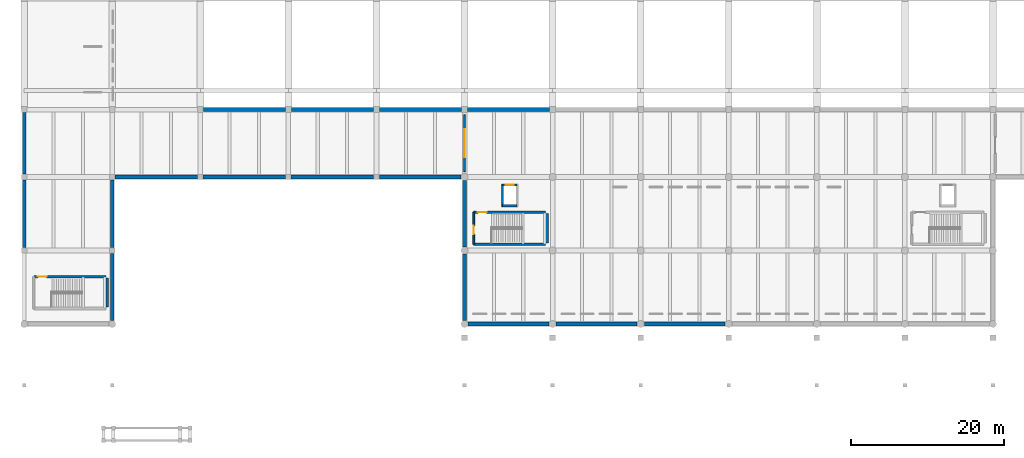
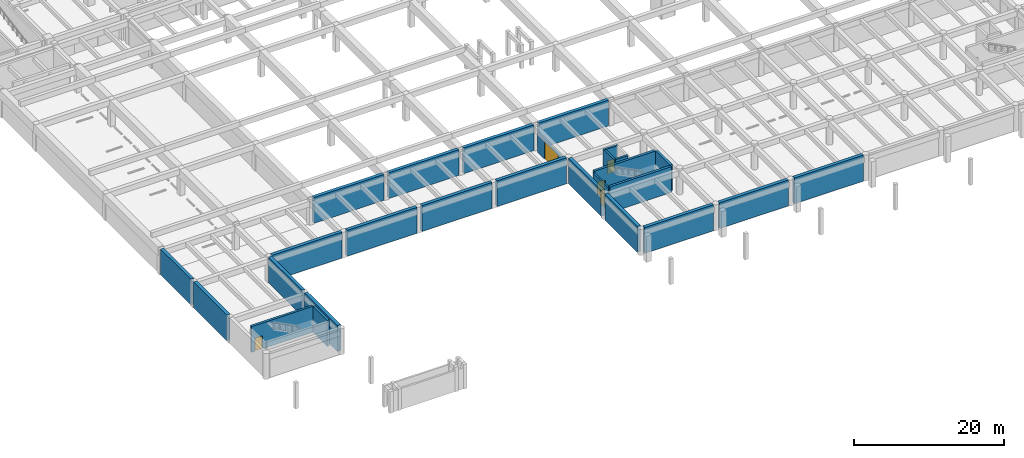
# One storey, part 9 of 20: 27 walls, 5 doors, 5 openings.
"""IFC4 building model written with IfcOpenShell, lengths in metres."""

from ifc_helpers import new_model, si_unit, direction, frame, frame_2d, origin, place, context, subcontext, project, spatial, rectangle, extrude, material, layer, layer_set, type_object, element, fill, save


model = new_model("IFC4")

# Units and contexts
model_context = context("Model", 3, precision=1e-05, world=origin(), true_north=direction((0.0, 1.0)))
body_context = subcontext(model_context, "Body", "Model", "MODEL_VIEW")
ifc_project = project(units=[si_unit("LENGTHUNIT", "METRE"), si_unit("AREAUNIT", "SQUARE_METRE"), si_unit("VOLUMEUNIT", "CUBIC_METRE"), si_unit("PLANEANGLEUNIT", "RADIAN"), si_unit("MASSUNIT", "GRAM", prefix="KILO")], contexts=[model_context])

# Site, building, storey
site_placement = place(None, origin())
site = spatial("IfcSite", under=ifc_project, at=site_placement, CompositionType="ELEMENT")
building_placement = place(site_placement, origin())
building = spatial("IfcBuilding", under=site, at=building_placement, Name="Ologun Quay Terminus", CompositionType="ELEMENT")
storey_placement = place(building_placement, frame((0.0, 0.0, -4.199951171875)))
storey = spatial("IfcBuildingStorey", under=building, at=storey_placement, Name="B01", CompositionType="ELEMENT", Elevation=-4.199951171875)

# Walls
ifc_material_1 = material(Name="Concrete C35/45", Category="concrete")
ifc_layer_1 = layer(ifc_material_1, 0.5)
ifc_layer_set_1 = layer_set([ifc_layer_1], Name="Concrete C35/45")
wall_type_1 = type_object("IfcWallType", Name="Basement Perimeter Retaining Wall 500", PredefinedType="SHEAR", material=ifc_layer_set_1)
wall_1_placement = place(storey_placement, frame((11.5, 8.469970703125, 0.0), z_axis=(0.0, 0.0, 1.0), x_axis=(0.0, 1.0, 0.0)))
element("IfcWall", 1, at=wall_1_placement, inside=storey, type_object=wall_type_1, Name="Retaining Wall S2-Y1 B01", PredefinedType="SHEAR", context=body_context, shape_type="SweptSolid", body=[
    extrude(rectangle(XDim=8.760009765625, YDim=0.5, at=frame_2d((4.3798828125, 0.0))), origin(), (0.0, 0.0, 1.0), 4.199951171875),
])
wall_2_placement = place(storey_placement, frame((11.5, 17.969970703125, 0.0), z_axis=(0.0, 0.0, 1.0), x_axis=(0.0, 1.0, 0.0)))
element("IfcWall", 2, at=wall_2_placement, inside=storey, type_object=wall_type_1, Name="Retaining Wall S2-Y2 B01", PredefinedType="SHEAR", context=body_context, shape_type="SweptSolid", body=[
    extrude(rectangle(XDim=8.860107421875, YDim=0.5, at=frame_2d((4.43017578125, 0.0))), origin(), (0.0, 0.0, 1.0), 4.199951171875),
])
for number, where, z_axis, x_axis, name in (
    (3, (11.8701171875, 27.199951171875, 0.0), (0.0, 0.0, 1.0), (1.0, 0.0, 0.0), "Retaining Wall S3-2 B01"),
    (4, (23.3701171875, 27.199951171875, 0.0), (0.0, 0.0, 1.0), (1.0, 0.0, 0.0), "Retaining Wall S3-3 B01"),
    (5, (34.8701171875, 27.199951171875, 0.0), (0.0, 0.0, 1.0), (1.0, 0.0, 0.0), "Retaining Wall S3-4 B01"),
):
    element("IfcWall", number, at=place(storey_placement, frame(where, z_axis=z_axis, x_axis=x_axis)), inside=storey, type_object=wall_type_1, Name=name, PredefinedType="SHEAR", context=body_context, shape_type="SweptSolid", body=[
        extrude(rectangle(XDim=10.759765625, YDim=0.5, at=frame_2d((5.3798828125, 0.0))), origin(), (0.0, 0.0, 1.0), 4.199951171875),
    ])
wall_3_placement = place(storey_placement, frame((46.3701171875, 27.199951171875, 0.0), z_axis=(0.0, 0.0, 1.0), x_axis=(1.0, 0.0, 0.0)))
element("IfcWall", 6, at=wall_3_placement, inside=storey, type_object=wall_type_1, Name="Retaining Wall S3-5 B01", PredefinedType="SHEAR", context=body_context, shape_type="SweptSolid", body=[
    extrude(rectangle(XDim=10.659912109375, YDim=0.5, at=frame_2d((5.330078125, 0.0))), origin(), (0.0, 0.0, 1.0), 4.199951171875),
])
for number, where, z_axis, x_axis, name in (
    (7, (57.5, 8.469970703125, 0.0), (0.0, 0.0, 1.0), (0.0, 1.0, 0.0), "Retaining Wall S4-Y1 B01"),
    (8, (57.5, 18.070068359375, 0.0), (0.0, 0.0, 1.0), (0.0, 1.0, 0.0), "Retaining Wall S4-Y2 B01"),
):
    element("IfcWall", number, at=place(storey_placement, frame(where, z_axis=z_axis, x_axis=x_axis)), inside=storey, type_object=wall_type_1, Name=name, PredefinedType="SHEAR", context=body_context, shape_type="SweptSolid", body=[
        extrude(rectangle(XDim=8.659912109375, YDim=0.5, at=frame_2d((4.330078125, 0.0))), origin(), (0.0, 0.0, 1.0), 4.199951171875),
    ])
for number, where, z_axis, x_axis, name in (
    (9, (57.969970703125, 8.0, 0.0), (0.0, 0.0, 1.0), (1.0, 0.0, 0.0), "Retaining Wall S5-6 B01"),
    (10, (69.469970703125, 8.0, 0.0), (0.0, 0.0, 1.0), (1.0, 0.0, 0.0), "Retaining Wall S5-7 B01"),
    (11, (80.969970703125, 8.0, 0.0), (0.0, 0.0, 1.0), (1.0, 0.0, 0.0), "Retaining Wall S5-8 B01"),
):
    element("IfcWall", number, at=place(storey_placement, frame(where, z_axis=z_axis, x_axis=x_axis)), inside=storey, type_object=wall_type_1, Name=name, PredefinedType="SHEAR", context=body_context, shape_type="SweptSolid", body=[
        extrude(rectangle(XDim=10.56005859375, YDim=0.5, at=frame_2d((5.280029296875, 0.0))), origin(), (0.0, 0.0, 1.0), 4.199951171875),
    ])
wall_4_placement = place(storey_placement, frame((0.0, 17.969970703125, 0.0), z_axis=(0.0, 0.0, 1.0), x_axis=(0.0, 1.0, 0.0)))
element("IfcWall", 12, at=wall_4_placement, inside=storey, type_object=wall_type_1, Name="Retaining Wall WG-Y2 B01", PredefinedType="SHEAR", context=body_context, shape_type="SweptSolid", body=[
    extrude(rectangle(XDim=8.860107421875, YDim=0.5, at=frame_2d((4.43017578125, 0.0))), origin(), (0.0, 0.0, 1.0), 4.199951171875),
])
wall_5_placement = place(storey_placement, frame((0.0, 27.570068359375, 0.0), z_axis=(0.0, 0.0, 1.0), x_axis=(0.0, 1.0, 0.0)))
element("IfcWall", 13, at=wall_5_placement, inside=storey, type_object=wall_type_1, Name="Retaining Wall WG-Y3 B01", PredefinedType="SHEAR", context=body_context, shape_type="SweptSolid", body=[
    extrude(rectangle(XDim=8.034912109375, YDim=0.5, at=frame_2d((4.017578125, 0.0))), origin(), (0.0, 0.0, 1.0), 4.199951171875),
])
for number, where, z_axis, x_axis, name in (
    (14, (23.39501953125, 36.0, 0.0), (0.0, 0.0, 1.0), (1.0, 0.0, 0.0), "Retaining Wall TS-3 B01"),
    (15, (34.89501953125, 36.0, 0.0), (0.0, 0.0, 1.0), (1.0, 0.0, 0.0), "Retaining Wall TS-4 B01"),
    (16, (46.39501953125, 36.0, 0.0), (0.0, 0.0, 1.0), (1.0, 0.0, 0.0), "Retaining Wall TS-5 B01"),
    (17, (57.89501953125, 36.0, 0.0), (0.0, 0.0, 1.0), (1.0, 0.0, 0.0), "Retaining Wall TS-6 B01"),
):
    element("IfcWall", number, at=place(storey_placement, frame(where, z_axis=z_axis, x_axis=x_axis)), inside=storey, type_object=wall_type_1, Name=name, PredefinedType="SHEAR", context=body_context, shape_type="SweptSolid", body=[
        extrude(rectangle(XDim=10.7099609375, YDim=0.5, at=frame_2d((5.35498046875, 0.0))), origin(), (0.0, 0.0, 1.0), 4.199951171875),
    ])

# Wall, opening, door
ifc_material_2 = material(Name="Concrete C40/50", Category="concrete")
ifc_layer_2 = layer(ifc_material_2, 0.239990234375)
ifc_layer_set_2 = layer_set([ifc_layer_2], Name="Concrete C40/50")
wall_type_2 = type_object("IfcWallType", Name="Fire Compartment Blockwork Wall 240", PredefinedType="SOLIDWALL", material=ifc_layer_set_2)
wall_6_placement = place(storey_placement, frame((58.699951171875, 18.419921875, 0.0), z_axis=(0.0, 0.0, 1.0), x_axis=(0.0, 1.0, 0.0)))
wall_6 = element("IfcWall", 18, at=wall_6_placement, inside=storey, type_object=wall_type_2, Name="PW-01 Partition ST-S3-W", PredefinedType="SOLIDWALL", context=body_context, shape_type="SweptSolid", body=[
    extrude(rectangle(XDim=4.16015625, YDim=0.239990234375, at=frame_2d((2.080078125, 0.0))), origin(), (0.0, 0.0, 1.0), 3.85986328125),
])
opening_1_placement = place(wall_6_placement, frame((1.300048828125, 0.0, 0.0)))
opening_1 = element("IfcOpeningElement", 19, at=opening_1_placement, cuts=wall_6, Name="Opening ID-250", PredefinedType="OPENING", context=body_context, shape_type="SweptSolid", body=[
    extrude(rectangle(XDim=1.1298828125, YDim=2.14990234375, at=frame_2d((0.56494140625, 1.074951171875))), frame((0.0, 0.1298828125, 0.0), z_axis=(0.0, -1.0, 0.0), x_axis=(1.0, 0.0, 0.0)), (0.0, 0.0, 1.0), 0.260009765625),
])
ifc_material_3 = material(Name="Steel S355", Category="steel")
door_type_1 = type_object("IfcDoorType", Name="Stairwell Fire Escape Door 1130x2150", OperationType="SINGLE_SWING_LEFT", PredefinedType="DOOR", material=ifc_material_3)
door_1_placement = place(opening_1_placement, frame((0.56494140625, 0.0, 0.0), z_axis=(0.0, 0.0, 1.0), x_axis=(-1.0, 0.0, 0.0)))
door_1 = element("IfcDoor", 20, at=door_1_placement, inside=storey, type_object=door_type_1, Name="FD-01 Door ID-250", OperationType="SINGLE_SWING_LEFT", OverallHeight=2.14990234375, OverallWidth=1.1298828125, PredefinedType="DOOR", context=body_context, shape_type="SweptSolid", body=[
    extrude(rectangle(XDim=1.1298828125, YDim=2.14990234375, at=frame_2d((0.0, 1.074951171875))), frame((0.0, 0.02490234375, 0.0), z_axis=(0.0, -1.0, 0.0), x_axis=(1.0, 0.0, 0.0)), (0.0, 0.0, 1.0), 0.050048828125),
])
fill(opening_1, door_1)

wall_7_placement = place(storey_placement, frame((57.5, 27.89990234375, 0.0), z_axis=(0.0, 0.0, 1.0), x_axis=(0.0, 1.0, 0.0)))
wall_7 = element("IfcWall", 21, at=wall_7_placement, inside=storey, type_object=wall_type_2, Name="PW-01 Partition B01-SouthCPK-Portal", PredefinedType="SOLIDWALL", context=body_context, shape_type="SweptSolid", body=[
    extrude(rectangle(XDim=7.400146484375, YDim=0.239990234375, at=frame_2d((3.7001953125, 0.0))), origin(), (0.0, 0.0, 1.0), 2.97998046875),
])
opening_2_placement = place(wall_7_placement, frame((1.89990234375, 0.0, 0.0)))
opening_2 = element("IfcOpeningElement", 22, at=opening_2_placement, cuts=wall_7, Name="Opening ID-286", PredefinedType="OPENING", context=body_context, shape_type="SweptSolid", body=[
    extrude(rectangle(XDim=3.60009765625, YDim=2.800048828125, at=frame_2d((1.800048828125, 1.39990234375))), frame((0.0, 0.1298828125, 0.0), z_axis=(0.0, -1.0, 0.0), x_axis=(1.0, 0.0, 0.0)), (0.0, 0.0, 1.0), 0.260009765625),
])
ifc_material_4 = material(Name="Steel S355", Category="steel")
door_type_2 = type_object("IfcDoorType", Name="Car Park Chamber Roller Shutter Gate 3600x2800", OperationType="ROLLINGUP", PredefinedType="GATE", material=ifc_material_4)
door_2_placement = place(opening_2_placement, origin())
door_2 = element("IfcDoor", 23, at=door_2_placement, inside=storey, type_object=door_type_2, Name="VD-01 Door ID-286", OperationType="ROLLINGUP", OverallHeight=2.800048828125, OverallWidth=3.60009765625, PredefinedType="GATE", context=body_context, shape_type="SweptSolid", body=[
    extrude(rectangle(XDim=3.60009765625, YDim=2.800048828125, at=frame_2d((1.800048828125, 1.39990234375))), frame((0.0, 0.02490234375, 0.0), z_axis=(0.0, -1.0, 0.0), x_axis=(1.0, 0.0, 0.0)), (0.0, 0.0, 1.0), 0.050048828125),
])
fill(opening_2, door_2)

# Wall
ifc_material_5 = material(Name="Concrete C40/50", Category="concrete")
ifc_layer_3 = layer(ifc_material_5, 0.300048828125)
ifc_layer_set_3 = layer_set([ifc_layer_3], Name="Concrete C40/50")
wall_type_3 = type_object("IfcWallType", Name="Lift Shaft Structural Shear Wall 300", PredefinedType="SHEAR", material=ifc_layer_set_3)
wall_8_placement = place(storey_placement, frame((62.449951171875, 23.449951171875, 0.0), z_axis=(0.0, 0.0, 1.0), x_axis=(1.0, 0.0, 0.0)))
element("IfcWall", 24, at=wall_8_placement, inside=storey, type_object=wall_type_3, Name="Lift PL-S1 Shaft Wall S B01", PredefinedType="SHEAR", context=body_context, shape_type="SweptSolid", body=[
    extrude(rectangle(XDim=1.900146484375, YDim=0.300048828125, at=frame_2d((0.9501953125, 0.0))), origin(), (0.0, 0.0, 1.0), 4.199951171875),
])

# Wall, opening, door
wall_9_placement = place(storey_placement, frame((62.449951171875, 26.14990234375, 0.0), z_axis=(0.0, 0.0, 1.0), x_axis=(1.0, 0.0, 0.0)))
wall_9 = element("IfcWall", 25, at=wall_9_placement, inside=storey, type_object=wall_type_3, Name="Lift PL-S1 Shaft Wall N B01", PredefinedType="SHEAR", context=body_context, shape_type="SweptSolid", body=[
    extrude(rectangle(XDim=1.900146484375, YDim=0.300048828125, at=frame_2d((0.9501953125, 0.0))), origin(), (0.0, 0.0, 1.0), 4.199951171875),
])
opening_3_placement = place(wall_9_placement, frame((0.39990234375, 0.0, 0.0)))
opening_3 = element("IfcOpeningElement", 26, at=opening_3_placement, cuts=wall_9, Name="Opening ID-047", PredefinedType="OPENING", context=body_context, shape_type="SweptSolid", body=[
    extrude(rectangle(XDim=1.10009765625, YDim=2.14990234375, at=frame_2d((0.550048828125, 1.074951171875))), frame((0.0, 0.16015625, 0.0), z_axis=(0.0, -1.0, 0.0), x_axis=(1.0, 0.0, 0.0)), (0.0, 0.0, 1.0), 0.320068359375),
])
ifc_material_6 = material(Name="Steel S355", Category="steel")
door_type_3 = type_object("IfcDoorType", Name="Lift Landing Sliding Door 1100x2150", OperationType="SLIDING_TO_LEFT", PredefinedType="DOOR", material=ifc_material_6)
door_3_placement = place(opening_3_placement, origin())
door_3 = element("IfcDoor", 27, at=door_3_placement, inside=storey, type_object=door_type_3, Name="LD-01 Door ID-047", OperationType="SLIDING_TO_LEFT", OverallHeight=2.14990234375, OverallWidth=1.10009765625, PredefinedType="DOOR", context=body_context, shape_type="SweptSolid", body=[
    extrude(rectangle(XDim=1.10009765625, YDim=2.14990234375, at=frame_2d((0.550048828125, 1.074951171875))), frame((0.0, 0.02490234375, 0.0), z_axis=(0.0, -1.0, 0.0), x_axis=(1.0, 0.0, 0.0)), (0.0, 0.0, 1.0), 0.050048828125),
])
fill(opening_3, door_3)

# Walls
wall_10_placement = place(storey_placement, frame((62.449951171875, 23.300048828125, 0.0), z_axis=(0.0, 0.0, 1.0), x_axis=(0.0, 1.0, 0.0)))
element("IfcWall", 28, at=wall_10_placement, inside=storey, type_object=wall_type_3, Name="Lift PL-S1 Shaft Wall W B01", PredefinedType="SHEAR", context=body_context, shape_type="SweptSolid", body=[
    extrude(rectangle(XDim=3.0, YDim=0.300048828125, at=frame_2d((1.5, 0.0))), origin(), (0.0, 0.0, 1.0), 4.199951171875),
])
ifc_material_7 = material(Name="Concrete C40/50", Category="concrete")
ifc_layer_4 = layer(ifc_material_7, 0.3798828125)
ifc_layer_set_4 = layer_set([ifc_layer_4], Name="Concrete C40/50")
wall_type_4 = type_object("IfcWallType", Name="Platform Spine Shear Wall 380", PredefinedType="SHEAR", material=ifc_layer_set_4)
wall_11_placement = place(storey_placement, frame((58.699951171875, 18.409912109375, 0.0), z_axis=(0.0, 0.0, 1.0), x_axis=(1.0, 0.0, 0.0)))
element("IfcWall", 29, at=wall_11_placement, inside=storey, type_object=wall_type_4, Name="Station Core 3 S Shear Wall B01", PredefinedType="SHEAR", context=body_context, shape_type="SweptSolid", body=[
    extrude(rectangle(XDim=9.400146484375, YDim=0.3798828125, at=frame_2d((4.7001953125, 0.0))), origin(), (0.0, 0.0, 1.0), 4.199951171875),
])

# Wall, opening, door
wall_12_placement = place(storey_placement, frame((58.699951171875, 22.590087890625, 0.0), z_axis=(0.0, 0.0, 1.0), x_axis=(1.0, 0.0, 0.0)))
wall_12 = element("IfcWall", 30, at=wall_12_placement, inside=storey, type_object=wall_type_4, Name="Station Core 3 N Shear Wall B01", PredefinedType="SHEAR", context=body_context, shape_type="SweptSolid", body=[
    extrude(rectangle(XDim=9.400146484375, YDim=0.3798828125, at=frame_2d((4.7001953125, 0.0))), origin(), (0.0, 0.0, 1.0), 4.199951171875),
])
opening_4_placement = place(wall_12_placement, frame((0.550048828125, 0.0, 0.0)))
opening_4 = element("IfcOpeningElement", 31, at=opening_4_placement, cuts=wall_12, Name="Opening ID-251", PredefinedType="OPENING", context=body_context, shape_type="SweptSolid", body=[
    extrude(rectangle(XDim=1.1298828125, YDim=2.14990234375, at=frame_2d((0.56494140625, 1.074951171875))), frame((0.0, 0.199951171875, 0.0), z_axis=(0.0, -1.0, 0.0), x_axis=(1.0, 0.0, 0.0)), (0.0, 0.0, 1.0), 0.39990234375),
])
door_4_placement = place(opening_4_placement, frame((0.56494140625, 0.0, 0.0), z_axis=(0.0, 0.0, 1.0), x_axis=(-1.0, 0.0, 0.0)))
door_4 = element("IfcDoor", 32, at=door_4_placement, inside=storey, type_object=door_type_1, Name="FD-01 Door ID-251", OperationType="SINGLE_SWING_LEFT", OverallHeight=2.14990234375, OverallWidth=1.1298828125, PredefinedType="DOOR", context=body_context, shape_type="SweptSolid", body=[
    extrude(rectangle(XDim=1.1298828125, YDim=2.14990234375, at=frame_2d((0.0, 1.074951171875))), frame((0.0, 0.02490234375, 0.0), z_axis=(0.0, -1.0, 0.0), x_axis=(1.0, 0.0, 0.0)), (0.0, 0.0, 1.0), 0.050048828125),
])
fill(opening_4, door_4)

# Wall
wall_13_placement = place(storey_placement, frame((68.2900390625, 18.60009765625, 0.0), z_axis=(0.0, 0.0, 1.0), x_axis=(0.0, 1.0, 0.0)))
element("IfcWall", 33, at=wall_13_placement, inside=storey, type_object=wall_type_4, Name="Station Core 3 E Shear Wall B01", PredefinedType="SHEAR", context=body_context, shape_type="SweptSolid", body=[
    extrude(rectangle(XDim=3.7998046875, YDim=0.3798828125, at=frame_2d((1.89990234375, 0.0))), origin(), (0.0, 0.0, 1.0), 4.199951171875),
])

# Wall, opening, door
ifc_material_8 = material(Name="Concrete C40/50", Category="concrete")
ifc_layer_5 = layer(ifc_material_8, 0.35009765625)
ifc_layer_set_5 = layer_set([ifc_layer_5], Name="Concrete C40/50")
wall_type_5 = type_object("IfcWallType", Name="Station Core Shear Wall 350", PredefinedType="SHEAR", material=ifc_layer_set_5)
wall_14_placement = place(storey_placement, frame((1.25, 14.175048828125, 0.0), z_axis=(0.0, 0.0, 1.0), x_axis=(1.0, 0.0, 0.0)))
wall_14 = element("IfcWall", 34, at=wall_14_placement, inside=storey, type_object=wall_type_5, Name="Station Core 1 N Shear Wall B01", PredefinedType="SHEAR", context=body_context, shape_type="SweptSolid", body=[
    extrude(rectangle(XDim=9.39990234375, YDim=0.35009765625, at=frame_2d((4.699951171875, 0.0))), origin(), (0.0, 0.0, 1.0), 4.199951171875),
])
opening_5_placement = place(wall_14_placement, frame((0.550048828125, 0.0, 0.0)))
opening_5 = element("IfcOpeningElement", 35, at=opening_5_placement, cuts=wall_14, Name="Opening ID-232", PredefinedType="OPENING", context=body_context, shape_type="SweptSolid", body=[
    extrude(rectangle(XDim=1.1298828125, YDim=2.14990234375, at=frame_2d((0.56494140625, 1.074951171875))), frame((0.0, 0.18505859375, 0.0), z_axis=(0.0, -1.0, 0.0), x_axis=(1.0, 0.0, 0.0)), (0.0, 0.0, 1.0), 0.3701171875),
])
door_5_placement = place(opening_5_placement, frame((0.56494140625, 0.0, 0.0), z_axis=(0.0, 0.0, 1.0), x_axis=(-1.0, 0.0, 0.0)))
door_5 = element("IfcDoor", 36, at=door_5_placement, inside=storey, type_object=door_type_1, Name="FD-01 Door ID-232", OperationType="SINGLE_SWING_LEFT", OverallHeight=2.14990234375, OverallWidth=1.1298828125, PredefinedType="DOOR", context=body_context, shape_type="SweptSolid", body=[
    extrude(rectangle(XDim=1.1298828125, YDim=2.14990234375, at=frame_2d((0.0, 1.074951171875))), frame((0.0, 0.02490234375, 0.0), z_axis=(0.0, -1.0, 0.0), x_axis=(1.0, 0.0, 0.0)), (0.0, 0.0, 1.0), 0.050048828125),
])
fill(opening_5, door_5)

# Wall
wall_15_placement = place(storey_placement, frame((10.824951171875, 10.199951171875, 0.0), z_axis=(0.0, 0.0, 1.0), x_axis=(0.0, 1.0, 0.0)))
element("IfcWall", 37, at=wall_15_placement, inside=storey, type_object=wall_type_5, Name="Station Core 1 E Shear Wall B01", PredefinedType="SHEAR", context=body_context, shape_type="SweptSolid", body=[
    extrude(rectangle(XDim=3.800048828125, YDim=0.35009765625, at=frame_2d((1.89990234375, 0.0))), origin(), (0.0, 0.0, 1.0), 4.199951171875),
])

save(model, "model.ifc")
